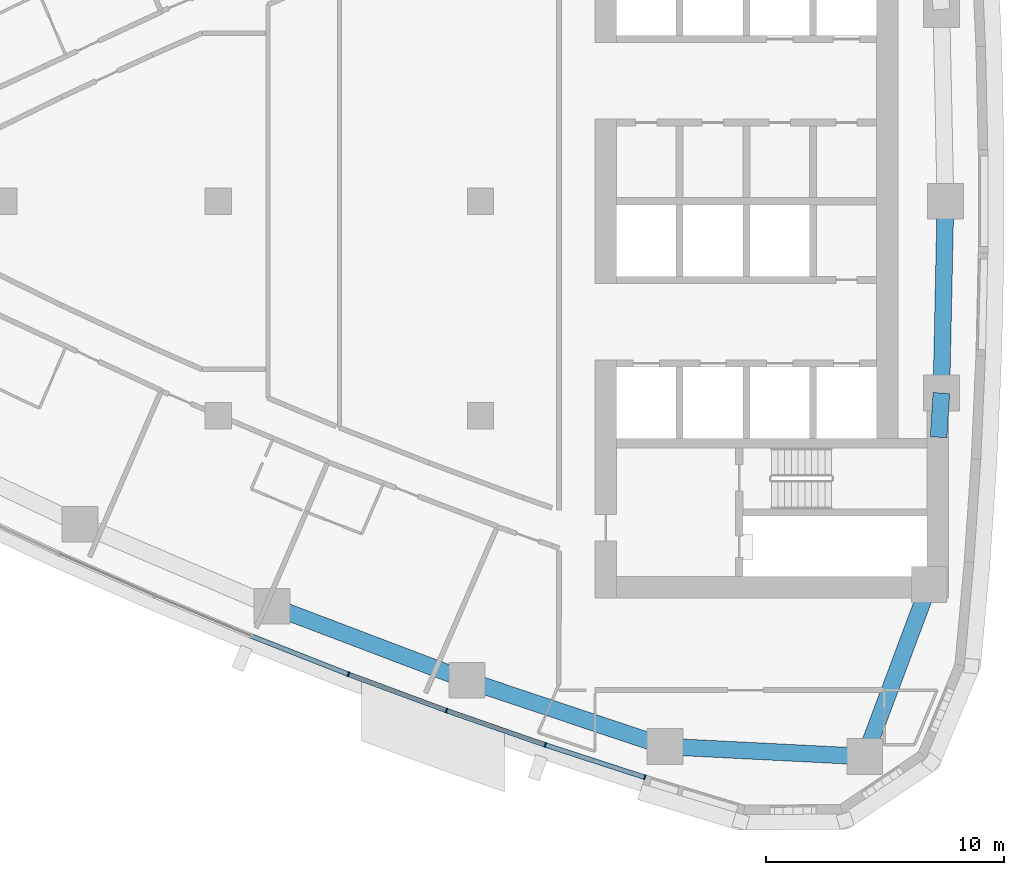
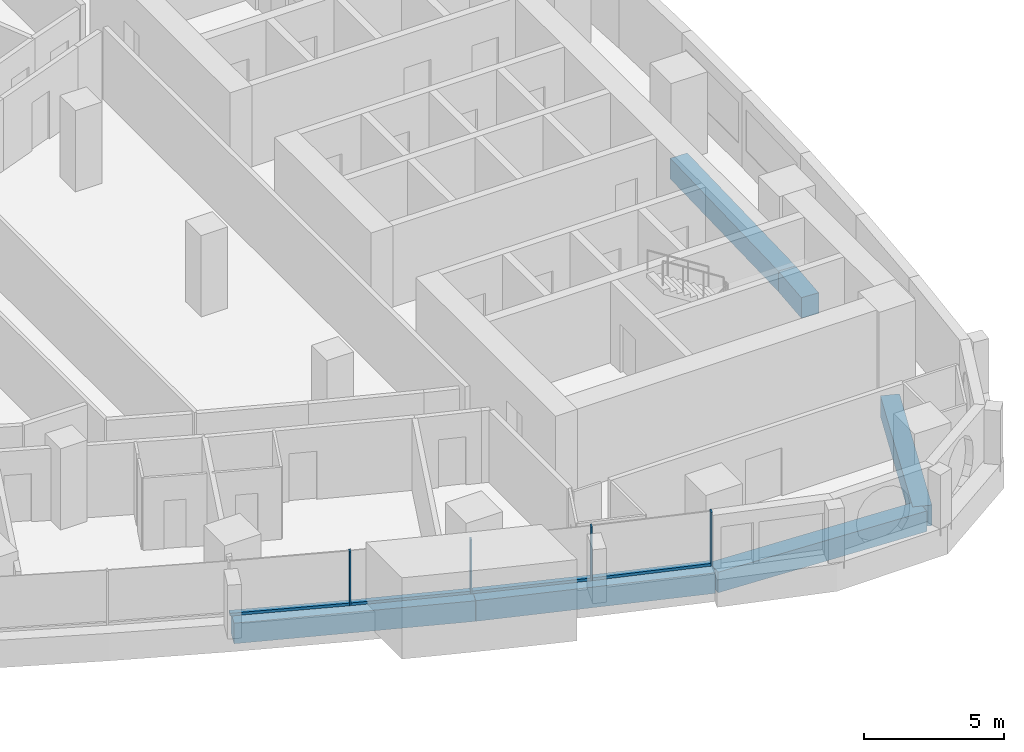
# One storey, part 3 of 17: 8 members, 6 beams, 2 elements without a shape of their own.
"""IFC4 building model written with IfcOpenShell, lengths in metres."""

from ifc_helpers import new_model, si_unit, direction, frame, origin, origin_2d, place, context, subcontext, project, spatial, rectangle, extrude, material, layer, layer_set, material_profile, profile_set, type_object, element, aggregate, save


model = new_model("IFC4")

# Units and contexts
model_context = context("Model", 3, precision=1e-05, world=origin(), true_north=direction((0.0, 1.0)))
body_context = subcontext(model_context, "Body", "Model", "MODEL_VIEW")
ifc_project = project(units=[si_unit("LENGTHUNIT", "METRE"), si_unit("AREAUNIT", "SQUARE_METRE"), si_unit("VOLUMEUNIT", "CUBIC_METRE"), si_unit("PLANEANGLEUNIT", "RADIAN"), si_unit("MASSUNIT", "GRAM", prefix="KILO")], contexts=[model_context])

# Site, building, storey
site_placement = place(None, origin())
site = spatial("IfcSite", under=ifc_project, at=site_placement, CompositionType="ELEMENT")
building_placement = place(site_placement, origin())
building = spatial("IfcBuilding", under=site, at=building_placement, Name="Ostrand Prow Hotel Tower", CompositionType="ELEMENT")
storey_placement = place(building_placement, frame((0.0, 0.0, 162.14990234375)))
storey = spatial("IfcBuildingStorey", under=building, at=storey_placement, Name="L40", CompositionType="ELEMENT", Elevation=162.14990234375)

# Beams
ifc_material_1 = material(Name="Concrete C70/85", Category="concrete")
ifc_material_profile_1 = material_profile(ifc_material_1, rectangle(XDim=0.699951171875, YDim=0.89990234375, at=origin_2d()), Name="RC 700x900")
ifc_profile_set_1 = profile_set([ifc_material_profile_1], Name="Concrete C70/85")
beam_type = type_object("IfcBeamType", Name="Edge beam 700x900 C70/85", PredefinedType="SPANDREL", material=ifc_profile_set_1)
for number, where, z_axis, x_axis, name in (
    (1, (36.255615234375, -16.98388671875, -0.75), (0.93479358236, -0.355191439055, 0.0), (0.355191439055, 0.93479358236, 0.0), "Edge beam S4-S5"),
    (2, (44.438232421875, -20.093017578125, -0.75), (0.948376051094, -0.317148018616, 0.0), (0.317148018616, 0.948376051094, 0.0), "Edge beam S5-S6"),
):
    element("IfcBeam", number, at=place(storey_placement, frame(where, z_axis=z_axis, x_axis=x_axis)), inside=storey, type_object=beam_type, Name=name, PredefinedType="SPANDREL", context=body_context, shape_type="SweptSolid", body=[
        extrude(rectangle(XDim=0.699951171875, YDim=0.89990234375, at=origin_2d()), origin(), (0.0, 0.0, 1.0), 8.75341796875),
    ])
beam_1_placement = place(storey_placement, frame((52.73974609375, -22.869140625, -0.75), z_axis=(0.99873741544, -0.050235196825, 0.0), x_axis=(0.050235196825, 0.99873741544, 0.0)))
element("IfcBeam", 3, at=beam_1_placement, inside=storey, type_object=beam_type, Name="Edge beam S6-SE", PredefinedType="SPANDREL", context=body_context, shape_type="SweptSolid", body=[
    extrude(rectangle(XDim=0.699951171875, YDim=0.89990234375, at=origin_2d()), origin(), (0.0, 0.0, 1.0), 8.38818359375),
])
beam_2_placement = place(storey_placement, frame((61.117431640625, -23.29052734375, -0.75), z_axis=(0.350602524344, 0.93652435629, 0.0), x_axis=(-0.93652435629, 0.350602524344, 0.0)))
element("IfcBeam", 4, at=beam_2_placement, inside=storey, type_object=beam_type, Name="Edge beam SE-B1", PredefinedType="SPANDREL", context=body_context, shape_type="SweptSolid", body=[
    extrude(rectangle(XDim=0.699951171875, YDim=0.89990234375, at=origin_2d()), origin(), (0.0, 0.0, 1.0), 7.037353515625),
])
beam_3_placement = place(storey_placement, frame((64.21142578125, -9.89990234375, -0.75), z_axis=(0.063563790544, 0.997977777574, 0.0), x_axis=(-0.997977777574, 0.063563790544, 0.0)))
element("IfcBeam", 5, at=beam_3_placement, inside=storey, type_object=beam_type, Name="Edge beam B1-B2", PredefinedType="SPANDREL", context=body_context, shape_type="SweptSolid", body=[
    extrude(rectangle(XDim=0.699951171875, YDim=0.89990234375, at=origin_2d()), origin(), (0.0, 0.0, 1.0), 1.85888671875),
])
beam_4_placement = place(storey_placement, frame((64.32958984375, -8.044677734375, -0.75), z_axis=(0.021178217658, 0.999775716397, 0.0), x_axis=(-0.999775716397, 0.021178217658, 0.0)))
element("IfcBeam", 6, at=beam_4_placement, inside=storey, type_object=beam_type, Name="Edge beam B2-B3", PredefinedType="SPANDREL", context=body_context, shape_type="SweptSolid", body=[
    extrude(rectangle(XDim=0.699951171875, YDim=0.89990234375, at=origin_2d()), origin(), (0.0, 0.0, 1.0), 8.04638671875),
])

# Curtain wall, members
ifc_material_2 = material(Name="Insulated glass in bronze anodised frame", Category="glass")
ifc_layer = layer(ifc_material_2, 0.199951171875)
ifc_layer_set = layer_set([ifc_layer], Name="Insulated glass in bronze anodised frame")
curtain_wall_type = type_object("IfcCurtainWallType", Name="Strip curtain wall, fritted glass over bronze spandrel", PredefinedType="NOTDEFINED", material=ifc_layer_set)
curtain_wall_1_placement = place(storey_placement, origin())
curtain_wall_1 = element("IfcCurtainWall", 7, at=curtain_wall_1_placement, inside=storey, type_object=curtain_wall_type, Name="CW1 run CWS4", PredefinedType="NOTDEFINED")
ifc_material_3 = material(Name="Bronze anodised aluminium", Category="aluminium")
ifc_material_profile_2 = material_profile(ifc_material_3, rectangle(XDim=0.199951171875, YDim=0.06005859375, at=origin_2d()), Name="Mullion 60x200 bronze anodised aluminium")
ifc_profile_set_2 = profile_set([ifc_material_profile_2], Name="Bronze anodised aluminium")
member_type_1 = type_object("IfcMemberType", Name="Mullion 60x200 bronze anodised aluminium", PredefinedType="MULLION", material=ifc_profile_set_2)
member_1_placement = place(storey_placement, frame((39.462158203125, -19.8408203125, 0.900146484375), z_axis=(0.0, 0.0, 1.0), x_axis=(0.347341576459, 0.937738678558, 0.0)))
member_1 = element("IfcMember", 8, at=member_1_placement, type_object=member_type_1, Name="CW1 mullion 2", PredefinedType="MULLION", context=body_context, shape_type="SweptSolid", body=[
    extrude(rectangle(XDim=0.199951171875, YDim=0.06005859375, at=origin_2d()), origin(), (0.0, 0.0, 1.0), 2.349853515625),
])
member_2_placement = place(storey_placement, frame((43.5751953125, -21.3642578125, 0.900146484375), z_axis=(0.0, 0.0, 1.0), x_axis=(0.347341576459, 0.937738678558, 0.0)))
member_2 = element("IfcMember", 9, at=member_2_placement, type_object=member_type_1, Name="CW1 mullion 3", PredefinedType="MULLION", context=body_context, shape_type="SweptSolid", body=[
    extrude(rectangle(XDim=0.199951171875, YDim=0.06005859375, at=origin_2d()), origin(), (0.0, 0.0, 1.0), 2.349853515625),
])

curtain_wall_2_placement = place(storey_placement, origin())
curtain_wall_2 = element("IfcCurtainWall", 10, at=curtain_wall_2_placement, inside=storey, type_object=curtain_wall_type, Name="CW1 run CWS5", PredefinedType="NOTDEFINED")
member_3_placement = place(storey_placement, frame((47.718017578125, -22.8046875, 0.900146484375), z_axis=(0.0, 0.0, 1.0), x_axis=(0.309380491373, 0.950938332153, 0.0)))
member_3 = element("IfcMember", 11, at=member_3_placement, type_object=member_type_1, Name="CW1 mullion 2", PredefinedType="MULLION", context=body_context, shape_type="SweptSolid", body=[
    extrude(rectangle(XDim=0.199951171875, YDim=0.06005859375, at=origin_2d()), origin(), (0.0, 0.0, 1.0), 2.349853515625),
])
member_4_placement = place(storey_placement, frame((51.888916015625, -24.16162109375, 0.900146484375), z_axis=(0.0, 0.0, 1.0), x_axis=(0.309380491373, 0.950938332153, 0.0)))
member_4 = element("IfcMember", 12, at=member_4_placement, type_object=member_type_1, Name="CW1 mullion 3", PredefinedType="MULLION", context=body_context, shape_type="SweptSolid", body=[
    extrude(rectangle(XDim=0.199951171875, YDim=0.06005859375, at=origin_2d()), origin(), (0.0, 0.0, 1.0), 2.349853515625),
])

# Member
ifc_material_4 = material(Name="Bronze anodised aluminium", Category="aluminium")
ifc_material_profile_3 = material_profile(ifc_material_4, rectangle(XDim=0.199951171875, YDim=0.1201171875, at=origin_2d()), Name="Transom 120x200 bronze anodised aluminium")
ifc_profile_set_3 = profile_set([ifc_material_profile_3], Name="Bronze anodised aluminium")
member_type_2 = type_object("IfcMemberType", Name="Transom 120x200 bronze anodised aluminium", PredefinedType="USERDEFINED", material=ifc_profile_set_3)
member_5_placement = place(storey_placement, frame((35.408447265625, -18.245849609375, 0.960205078125), z_axis=(0.930563430162, -0.366130717701, 0.0), x_axis=(0.366130717701, 0.930563430162, 0.0)))
member_5 = element("IfcMember", 13, at=member_5_placement, type_object=member_type_2, Name="CW1 transom 1.1", ObjectType="TRANSOM", PredefinedType="USERDEFINED", context=body_context, shape_type="SweptSolid", body=[
    extrude(rectangle(XDim=0.199951171875, YDim=0.1201171875, at=origin_2d()), origin(), (0.0, 0.0, 1.0), 4.326171875),
])

member_6_placement = place(storey_placement, frame((39.490234375, -19.851318359375, 0.960205078125), z_axis=(0.937756929379, -0.347292299657, 0.0), x_axis=(0.347292299657, 0.937756929379, 0.0)))
member_6 = element("IfcMember", 14, at=member_6_placement, type_object=member_type_2, Name="CW1 transom 2.1", ObjectType="TRANSOM", PredefinedType="USERDEFINED", context=body_context, shape_type="SweptSolid", body=[
    extrude(rectangle(XDim=0.199951171875, YDim=0.1201171875, at=origin_2d()), origin(), (0.0, 0.0, 1.0), 4.326171875),
])

aggregate(curtain_wall_1, [member_1, member_2, member_5, member_6])

member_7_placement = place(storey_placement, frame((43.603515625, -21.3740234375, 0.960205078125), z_axis=(0.944524201162, -0.328441826538, 0.0), x_axis=(0.328441826538, 0.944524201162, 0.0)))
member_7 = element("IfcMember", 15, at=member_7_placement, type_object=member_type_2, Name="CW1 transom 1.1", ObjectType="TRANSOM", PredefinedType="USERDEFINED", context=body_context, shape_type="SweptSolid", body=[
    extrude(rectangle(XDim=0.199951171875, YDim=0.1201171875, at=origin_2d()), origin(), (0.0, 0.0, 1.0), 4.326171875),
])

member_8_placement = place(storey_placement, frame((47.74658203125, -22.81396484375, 0.960205078125), z_axis=(0.950938634958, -0.309379560643, 0.0), x_axis=(0.309379560643, 0.950938634958, 0.0)))
member_8 = element("IfcMember", 16, at=member_8_placement, type_object=member_type_2, Name="CW1 transom 2.1", ObjectType="TRANSOM", PredefinedType="USERDEFINED", context=body_context, shape_type="SweptSolid", body=[
    extrude(rectangle(XDim=0.199951171875, YDim=0.1201171875, at=origin_2d()), origin(), (0.0, 0.0, 1.0), 4.325927734375),
])

aggregate(curtain_wall_2, [member_3, member_4, member_7, member_8])

save(model, "model.ifc")
